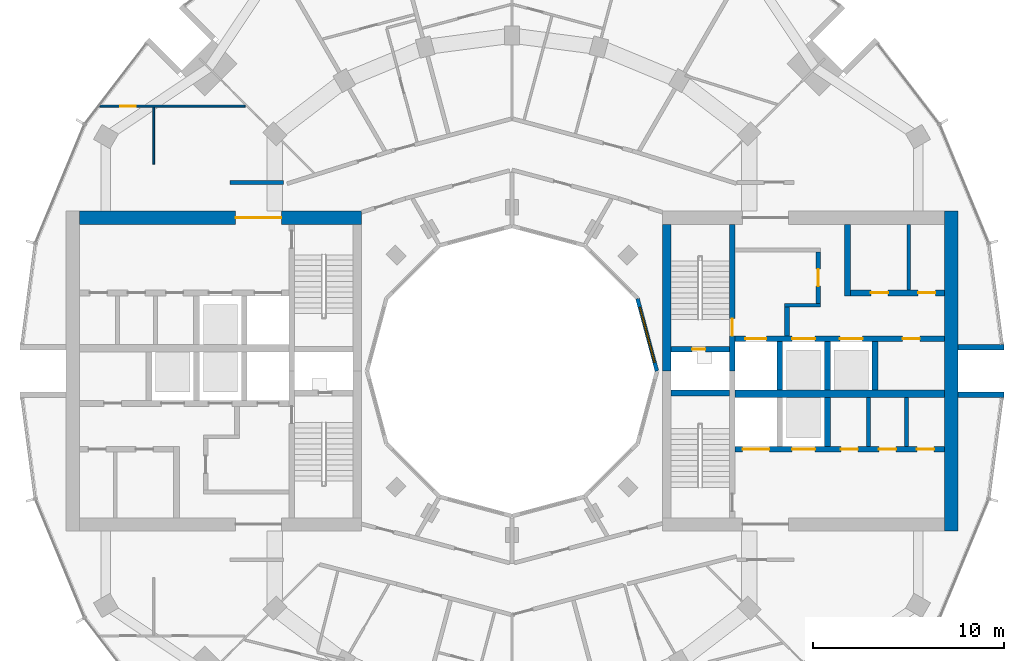
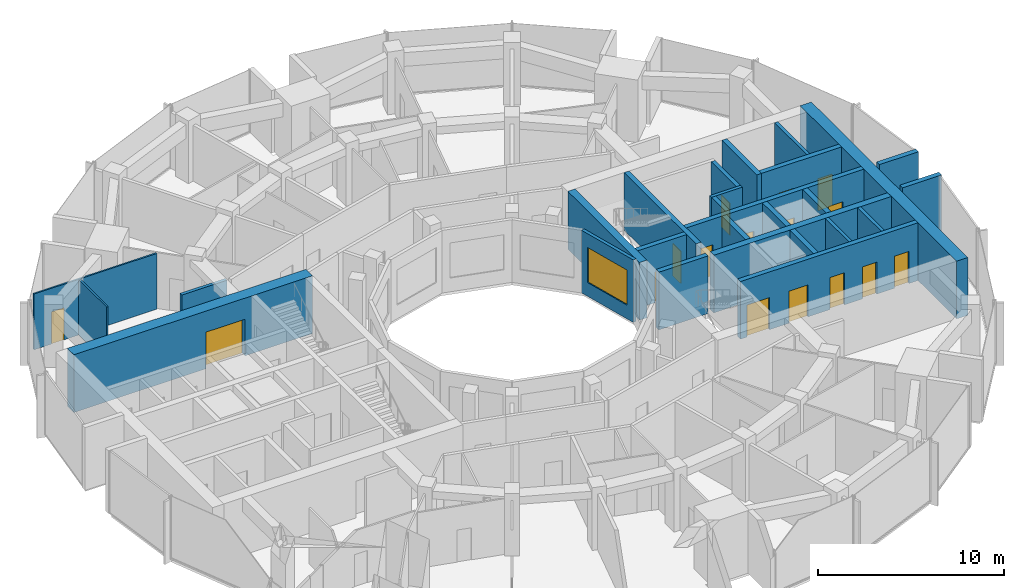
# One storey, part 11 of 15: 27 walls, 16 doors, 1 window, 17 openings.
"""IFC4 building model written with IfcOpenShell, lengths in metres."""

from ifc_helpers import new_model, si_unit, direction, frame, frame_2d, origin, place, context, subcontext, project, spatial, rectangle, extrude, material, layer, layer_set, type_object, element, fill, save


model = new_model("IFC4")

# Units and contexts
model_context = context("Model", 3, precision=1e-05, world=origin(), true_north=direction((0.0, 1.0)))
body_context = subcontext(model_context, "Body", "Model", "MODEL_VIEW")
ifc_project = project(units=[si_unit("LENGTHUNIT", "METRE"), si_unit("AREAUNIT", "SQUARE_METRE"), si_unit("VOLUMEUNIT", "CUBIC_METRE"), si_unit("PLANEANGLEUNIT", "RADIAN"), si_unit("MASSUNIT", "GRAM", prefix="KILO")], contexts=[model_context])

# Site, building, storey
site_placement = place(None, origin())
site = spatial("IfcSite", under=ifc_project, at=site_placement, CompositionType="ELEMENT")
building_placement = place(site_placement, origin())
building = spatial("IfcBuilding", under=site, at=building_placement, Name="Torre Brocal", CompositionType="ELEMENT")
storey_placement = place(building_placement, frame((0.0, 0.0, 186.39990234375)))
storey = spatial("IfcBuildingStorey", under=building, at=storey_placement, Name="L43", CompositionType="ELEMENT", Elevation=186.39990234375)

# Walls
ifc_material_1 = material(Name="Masonry block", Category="masonry")
ifc_layer_1 = layer(ifc_material_1, 0.199951171875)
ifc_layer_set_1 = layer_set([ifc_layer_1], Name="Masonry block")
wall_type_1 = type_object("IfcWallType", Name="CORE PARTITION 200", PredefinedType="PARTITIONING", material=ifc_layer_set_1)
for number, where, z_axis, x_axis, name in (
    (1, (98.699951171875, 71.050048828125, 0.0), (0.0, 0.0, 1.0), (0.0, 1.0, 0.0), "Wall CP200"),
    (2, (100.699951171875, 71.050048828125, 0.0), (0.0, 0.0, 1.0), (0.0, 1.0, 0.0), "Wall CP200"),
):
    element("IfcWall", number, at=place(storey_placement, frame(where, z_axis=z_axis, x_axis=x_axis)), inside=storey, type_object=wall_type_1, Name=name, PredefinedType="PARTITIONING", context=body_context, shape_type="SweptSolid", body=[
        extrude(rectangle(XDim=2.550048828125, YDim=0.199951171875, at=frame_2d((1.27490234375, 0.0))), origin(), (0.0, 0.0, 1.0), 3.780029296875),
    ])
wall_1_placement = place(storey_placement, frame((100.819091796875, 79.25, 0.0), z_axis=(0.0, 0.0, 1.0), x_axis=(0.0, 1.0, 0.0)))
element("IfcWall", 3, at=wall_1_placement, inside=storey, type_object=wall_type_1, Name="Wall CP200", PredefinedType="PARTITIONING", context=body_context, shape_type="SweptSolid", body=[
    extrude(rectangle(XDim=3.449951171875, YDim=0.199951171875, at=frame_2d((1.72509765625, 0.0))), origin(), (0.0, 0.0, 1.0), 3.780029296875),
])
ifc_material_2 = material(Name="Concrete C70", Category="concrete")
ifc_layer_2 = layer(ifc_material_2, 0.199951171875)
ifc_layer_set_2 = layer_set([ifc_layer_2], Name="Concrete C70")
wall_type_2 = type_object("IfcWallType", Name="CORE WALL 200 C70", PredefinedType="SHEAR", material=ifc_layer_set_2)
wall_2_placement = place(storey_placement, frame((94.300048828125, 78.449951171875, 0.0), z_axis=(0.0, 0.0, 1.0), x_axis=(1.0, 0.0, 0.0)))
element("IfcWall", 4, at=wall_2_placement, inside=storey, type_object=wall_type_2, Name="Wall CW200-70", PredefinedType="SHEAR", context=body_context, shape_type="SweptSolid", body=[
    extrude(rectangle(XDim=1.89990234375, YDim=0.199951171875, at=frame_2d((0.949951171875, 0.0))), origin(), (0.0, 0.0, 1.0), 3.780029296875),
])

# Wall, opening, door
ifc_material_3 = material(Name="Concrete C70", Category="concrete")
ifc_layer_3 = layer(ifc_material_3, 0.25)
ifc_layer_set_3 = layer_set([ifc_layer_3], Name="Concrete C70")
wall_type_3 = type_object("IfcWallType", Name="CORE WALL 250 C70", PredefinedType="SHEAR", material=ifc_layer_set_3)
wall_3_placement = place(storey_placement, frame((96.074951171875, 78.550048828125, 0.0), z_axis=(0.0, 0.0, 1.0), x_axis=(0.0, 1.0, 0.0)))
wall_3 = element("IfcWall", 5, at=wall_3_placement, inside=storey, type_object=wall_type_3, Name="Wall CW250-70", PredefinedType="SHEAR", context=body_context, shape_type="SweptSolid", body=[
    extrude(rectangle(XDim=2.699951171875, YDim=0.25, at=frame_2d((1.35009765625, 0.0))), origin(), (0.0, 0.0, 1.0), 3.780029296875),
])
opening_1_placement = place(wall_3_placement, frame((0.89990234375, 0.0, 0.0)))
opening_1 = element("IfcOpeningElement", 6, at=opening_1_placement, cuts=wall_3, Name="Opening E-D08", PredefinedType="OPENING", context=body_context, shape_type="SweptSolid", body=[
    extrude(rectangle(XDim=0.89990234375, YDim=2.10009765625, at=frame_2d((0.449951171875, 1.050048828125))), frame((0.0, 0.135009765625, 0.0), z_axis=(0.0, -1.0, 0.0), x_axis=(1.0, 0.0, 0.0)), (0.0, 0.0, 1.0), 0.27001953125),
])
ifc_material_4 = material(Name="Steel A653", Category="steel")
door_type_1 = type_object("IfcDoorType", Name="LOBBY DOOR FD120 900X2100", OperationType="SINGLE_SWING_RIGHT", PredefinedType="DOOR", material=ifc_material_4)
door_1_placement = place(opening_1_placement, origin())
door_1 = element("IfcDoor", 7, at=door_1_placement, inside=storey, type_object=door_type_1, Name="Door E-D08", OperationType="SINGLE_SWING_LEFT", OverallHeight=2.10009765625, OverallWidth=0.89990234375, PredefinedType="DOOR", context=body_context, shape_type="SweptSolid", body=[
    extrude(rectangle(XDim=0.89990234375, YDim=2.10009765625, at=frame_2d((0.449951171875, 1.050048828125))), frame((0.0, 0.02490234375, 0.0), z_axis=(0.0, -1.0, 0.0), x_axis=(1.0, 0.0, 0.0)), (0.0, 0.0, 1.0), 0.050048828125),
])
fill(opening_1, door_1)

# Wall
wall_4_placement = place(storey_placement, frame((94.425048828125, 76.85009765625, 0.0), z_axis=(0.0, 0.0, 1.0), x_axis=(0.0, 1.0, 0.0)))
element("IfcWall", 8, at=wall_4_placement, inside=storey, type_object=wall_type_3, Name="Wall CW250-70", PredefinedType="SHEAR", context=body_context, shape_type="SweptSolid", body=[
    extrude(rectangle(XDim=1.5, YDim=0.25, at=frame_2d((0.75, 0.0))), origin(), (0.0, 0.0, 1.0), 3.780029296875),
])

# Wall, opening, door
ifc_material_5 = material(Name="Concrete C70", Category="concrete")
ifc_layer_4 = layer(ifc_material_5, 0.300048828125)
ifc_layer_set_4 = layer_set([ifc_layer_4], Name="Concrete C70")
wall_type_4 = type_object("IfcWallType", Name="CORE WALL 300 C70", PredefinedType="SHEAR", material=ifc_layer_set_4)
wall_5_placement = place(storey_placement, frame((91.550048828125, 75.0, 0.0), z_axis=(0.0, 0.0, 1.0), x_axis=(0.0, 1.0, 0.0)))
wall_5 = element("IfcWall", 9, at=wall_5_placement, inside=storey, type_object=wall_type_4, Name="Wall CW300-70", PredefinedType="SHEAR", context=body_context, shape_type="SweptSolid", body=[
    extrude(rectangle(XDim=7.699951171875, YDim=0.300048828125, at=frame_2d((3.85009765625, 0.0))), origin(), (0.0, 0.0, 1.0), 3.780029296875),
])
opening_2_placement = place(wall_5_placement, frame((1.85009765625, 0.0, 0.0)))
opening_2 = element("IfcOpeningElement", 10, at=opening_2_placement, cuts=wall_5, Name="Opening E-D02", PredefinedType="OPENING", context=body_context, shape_type="SweptSolid", body=[
    extrude(rectangle(XDim=0.89990234375, YDim=2.10009765625, at=frame_2d((0.449951171875, 1.050048828125))), frame((0.0, 0.159912109375, 0.0), z_axis=(0.0, -1.0, 0.0), x_axis=(1.0, 0.0, 0.0)), (0.0, 0.0, 1.0), 0.320068359375),
])
ifc_material_6 = material(Name="Steel A653", Category="steel")
door_type_2 = type_object("IfcDoorType", Name="STAIR DOOR FD120 900X2100", OperationType="SINGLE_SWING_RIGHT", PredefinedType="DOOR", material=ifc_material_6)
door_2_placement = place(opening_2_placement, origin())
door_2 = element("IfcDoor", 11, at=door_2_placement, inside=storey, type_object=door_type_2, Name="Door E-D02", OperationType="SINGLE_SWING_LEFT", OverallHeight=2.10009765625, OverallWidth=0.89990234375, PredefinedType="DOOR", context=body_context, shape_type="SweptSolid", body=[
    extrude(rectangle(XDim=0.89990234375, YDim=2.10009765625, at=frame_2d((0.449951171875, 1.050048828125))), frame((0.0, 0.02490234375, 0.0), z_axis=(0.0, -1.0, 0.0), x_axis=(1.0, 0.0, 0.0)), (0.0, 0.0, 1.0), 0.050048828125),
])
fill(opening_2, door_2)

wall_6_placement = place(storey_placement, frame((88.35009765625, 76.14990234375, 0.0), z_axis=(0.0, 0.0, 1.0), x_axis=(1.0, 0.0, 0.0)))
wall_6 = element("IfcWall", 12, at=wall_6_placement, inside=storey, type_object=wall_type_4, Name="Wall CW300-70", PredefinedType="SHEAR", context=body_context, shape_type="SweptSolid", body=[
    extrude(rectangle(XDim=3.0498046875, YDim=0.300048828125, at=frame_2d((1.52490234375, 0.0))), origin(), (0.0, 0.0, 1.0), 3.780029296875),
])
opening_3_placement = place(wall_6_placement, frame((1.10009765625, 0.0, 0.0)))
opening_3 = element("IfcOpeningElement", 13, at=opening_3_placement, cuts=wall_6, Name="Opening E-D01", PredefinedType="OPENING", context=body_context, shape_type="SweptSolid", body=[
    extrude(rectangle(XDim=0.699951171875, YDim=2.0, at=frame_2d((0.35009765625, 1.0))), frame((0.0, 0.159912109375, 0.0), z_axis=(0.0, -1.0, 0.0), x_axis=(1.0, 0.0, 0.0)), (0.0, 0.0, 1.0), 0.320068359375),
])
ifc_material_7 = material(Name="Steel A653", Category="steel")
door_type_3 = type_object("IfcDoorType", Name="RISER DOOR FD120 700X2000", OperationType="SINGLE_SWING_LEFT", PredefinedType="DOOR", material=ifc_material_7)
door_3_placement = place(opening_3_placement, frame((0.699951171875, 0.0, 0.0), z_axis=(0.0, 0.0, 1.0), x_axis=(-1.0, 0.0, 0.0)))
door_3 = element("IfcDoor", 14, at=door_3_placement, inside=storey, type_object=door_type_3, Name="Door E-D01", OperationType="SINGLE_SWING_RIGHT", OverallHeight=2.0, OverallWidth=0.699951171875, PredefinedType="DOOR", context=body_context, shape_type="SweptSolid", body=[
    extrude(rectangle(XDim=0.699951171875, YDim=2.0, at=frame_2d((0.35009765625, 1.0))), frame((0.0, 0.02490234375, 0.0), z_axis=(0.0, -1.0, 0.0), x_axis=(1.0, 0.0, 0.0)), (0.0, 0.0, 1.0), 0.050048828125),
])
fill(opening_3, door_3)

# Wall
wall_7_placement = place(storey_placement, frame((88.35009765625, 73.85009765625, 0.0), z_axis=(0.0, 0.0, 1.0), x_axis=(1.0, 0.0, 0.0)))
element("IfcWall", 15, at=wall_7_placement, inside=storey, type_object=wall_type_4, Name="Wall CW300-70", PredefinedType="SHEAR", context=body_context, shape_type="SweptSolid", body=[
    extrude(rectangle(XDim=3.0498046875, YDim=0.300048828125, at=frame_2d((1.52490234375, 0.0))), origin(), (0.0, 0.0, 1.0), 3.780029296875),
])

# Wall, openings, doors
wall_8_placement = place(storey_placement, frame((91.699951171875, 76.699951171875, 0.0), z_axis=(0.0, 0.0, 1.0), x_axis=(1.0, 0.0, 0.0)))
wall_8 = element("IfcWall", 16, at=wall_8_placement, inside=storey, type_object=wall_type_4, Name="Wall CW300-70", PredefinedType="SHEAR", context=body_context, shape_type="SweptSolid", body=[
    extrude(rectangle(XDim=11.0, YDim=0.300048828125, at=frame_2d((5.5, 0.0))), origin(), (0.0, 0.0, 1.0), 3.780029296875),
])
opening_4_placement = place(wall_8_placement, frame((0.550048828125, 0.0, 0.0)))
opening_4 = element("IfcOpeningElement", 17, at=opening_4_placement, cuts=wall_8, Name="Opening LD", PredefinedType="OPENING", context=body_context, shape_type="SweptSolid", body=[
    extrude(rectangle(XDim=1.10009765625, YDim=2.10009765625, at=frame_2d((0.550048828125, 1.050048828125))), frame((0.0, 0.159912109375, 0.0), z_axis=(0.0, -1.0, 0.0), x_axis=(1.0, 0.0, 0.0)), (0.0, 0.0, 1.0), 0.320068359375),
])
opening_5_placement = place(wall_8_placement, frame((3.0, 0.0, 0.0)))
opening_5 = element("IfcOpeningElement", 18, at=opening_5_placement, cuts=wall_8, Name="Opening LD12", PredefinedType="OPENING", context=body_context, shape_type="SweptSolid", body=[
    extrude(rectangle(XDim=1.199951171875, YDim=2.10009765625, at=frame_2d((0.60009765625, 1.050048828125))), frame((0.0, 0.159912109375, 0.0), z_axis=(0.0, -1.0, 0.0), x_axis=(1.0, 0.0, 0.0)), (0.0, 0.0, 1.0), 0.320068359375),
])
opening_6_placement = place(wall_8_placement, frame((5.5, 0.0, 0.0)))
opening_6 = element("IfcOpeningElement", 19, at=opening_6_placement, cuts=wall_8, Name="Opening LD12", PredefinedType="OPENING", context=body_context, shape_type="SweptSolid", body=[
    extrude(rectangle(XDim=1.199951171875, YDim=2.10009765625, at=frame_2d((0.60009765625, 1.050048828125))), frame((0.0, 0.159912109375, 0.0), z_axis=(0.0, -1.0, 0.0), x_axis=(1.0, 0.0, 0.0)), (0.0, 0.0, 1.0), 0.320068359375),
])
opening_7_placement = place(wall_8_placement, frame((8.800048828125, 0.0, 0.0)))
opening_7 = element("IfcOpeningElement", 20, at=opening_7_placement, cuts=wall_8, Name="Opening E-D04", PredefinedType="OPENING", context=body_context, shape_type="SweptSolid", body=[
    extrude(rectangle(XDim=0.89990234375, YDim=2.10009765625, at=frame_2d((0.449951171875, 1.050048828125))), frame((0.0, 0.159912109375, 0.0), z_axis=(0.0, -1.0, 0.0), x_axis=(1.0, 0.0, 0.0)), (0.0, 0.0, 1.0), 0.320068359375),
])
ifc_material_8 = material(Name="Stainless steel AISI 316", Category="steel")
door_type_4 = type_object("IfcDoorType", Name="LIFT LANDING DOOR 1100X2100", OperationType="DOUBLE_DOOR_SLIDING", PredefinedType="DOOR", material=ifc_material_8)
door_4_placement = place(opening_4_placement, origin())
door_4 = element("IfcDoor", 21, at=door_4_placement, inside=storey, type_object=door_type_4, Name="Door LD", OperationType="DOUBLE_DOOR_SLIDING", OverallHeight=2.10009765625, OverallWidth=1.10009765625, PredefinedType="DOOR", context=body_context, shape_type="SweptSolid", body=[
    extrude(rectangle(XDim=1.10009765625, YDim=2.10009765625, at=frame_2d((0.550048828125, 1.050048828125))), frame((0.0, 0.02490234375, 0.0), z_axis=(0.0, -1.0, 0.0), x_axis=(1.0, 0.0, 0.0)), (0.0, 0.0, 1.0), 0.050048828125),
])
fill(opening_4, door_4)
ifc_material_9 = material(Name="Stainless steel AISI 316", Category="steel")
door_type_5 = type_object("IfcDoorType", Name="LIFT LANDING DOOR 1200X2100", OperationType="DOUBLE_DOOR_SLIDING", PredefinedType="DOOR", material=ifc_material_9)
door_5_placement = place(opening_5_placement, origin())
door_5 = element("IfcDoor", 22, at=door_5_placement, inside=storey, type_object=door_type_5, Name="Door LD12", OperationType="DOUBLE_DOOR_SLIDING", OverallHeight=2.10009765625, OverallWidth=1.199951171875, PredefinedType="DOOR", context=body_context, shape_type="SweptSolid", body=[
    extrude(rectangle(XDim=1.199951171875, YDim=2.10009765625, at=frame_2d((0.60009765625, 1.050048828125))), frame((0.0, 0.02490234375, 0.0), z_axis=(0.0, -1.0, 0.0), x_axis=(1.0, 0.0, 0.0)), (0.0, 0.0, 1.0), 0.050048828125),
])
fill(opening_5, door_5)
door_6_placement = place(opening_6_placement, origin())
door_6 = element("IfcDoor", 23, at=door_6_placement, inside=storey, type_object=door_type_5, Name="Door LD12", OperationType="DOUBLE_DOOR_SLIDING", OverallHeight=2.10009765625, OverallWidth=1.199951171875, PredefinedType="DOOR", context=body_context, shape_type="SweptSolid", body=[
    extrude(rectangle(XDim=1.199951171875, YDim=2.10009765625, at=frame_2d((0.60009765625, 1.050048828125))), frame((0.0, 0.02490234375, 0.0), z_axis=(0.0, -1.0, 0.0), x_axis=(1.0, 0.0, 0.0)), (0.0, 0.0, 1.0), 0.050048828125),
])
fill(opening_6, door_6)
ifc_material_10 = material(Name="Steel A653", Category="steel")
door_type_6 = type_object("IfcDoorType", Name="ROOM DOOR FD30S 900X2100", OperationType="SINGLE_SWING_LEFT", PredefinedType="DOOR", material=ifc_material_10)
door_7_placement = place(opening_7_placement, frame((0.89990234375, 0.0, 0.0), z_axis=(0.0, 0.0, 1.0), x_axis=(-1.0, 0.0, 0.0)))
door_7 = element("IfcDoor", 24, at=door_7_placement, inside=storey, type_object=door_type_6, Name="Door E-D04", OperationType="SINGLE_SWING_LEFT", OverallHeight=2.10009765625, OverallWidth=0.89990234375, PredefinedType="DOOR", context=body_context, shape_type="SweptSolid", body=[
    extrude(rectangle(XDim=0.89990234375, YDim=2.10009765625, at=frame_2d((0.449951171875, 1.050048828125))), frame((0.0, 0.02490234375, 0.0), z_axis=(0.0, -1.0, 0.0), x_axis=(1.0, 0.0, 0.0)), (0.0, 0.0, 1.0), 0.050048828125),
])
fill(opening_7, door_7)

wall_9_placement = place(storey_placement, frame((91.699951171875, 70.89990234375, 0.0), z_axis=(0.0, 0.0, 1.0), x_axis=(1.0, 0.0, 0.0)))
wall_9 = element("IfcWall", 25, at=wall_9_placement, inside=storey, type_object=wall_type_4, Name="Wall CW300-70", PredefinedType="SHEAR", context=body_context, shape_type="SweptSolid", body=[
    extrude(rectangle(XDim=11.0, YDim=0.300048828125, at=frame_2d((5.5, 0.0))), origin(), (0.0, 0.0, 1.0), 3.780029296875),
])
opening_8_placement = place(wall_9_placement, frame((0.39990234375, 0.0, 0.0)))
opening_8 = element("IfcOpeningElement", 26, at=opening_8_placement, cuts=wall_9, Name="Opening LD14", PredefinedType="OPENING", context=body_context, shape_type="SweptSolid", body=[
    extrude(rectangle(XDim=1.39990234375, YDim=2.10009765625, at=frame_2d((0.699951171875, 1.050048828125))), frame((0.0, 0.159912109375, 0.0), z_axis=(0.0, -1.0, 0.0), x_axis=(1.0, 0.0, 0.0)), (0.0, 0.0, 1.0), 0.320068359375),
])
opening_9_placement = place(wall_9_placement, frame((3.0, 0.0, 0.0)))
opening_9 = element("IfcOpeningElement", 27, at=opening_9_placement, cuts=wall_9, Name="Opening LD12", PredefinedType="OPENING", context=body_context, shape_type="SweptSolid", body=[
    extrude(rectangle(XDim=1.199951171875, YDim=2.10009765625, at=frame_2d((0.60009765625, 1.050048828125))), frame((0.0, 0.159912109375, 0.0), z_axis=(0.0, -1.0, 0.0), x_axis=(1.0, 0.0, 0.0)), (0.0, 0.0, 1.0), 0.320068359375),
])
opening_10_placement = place(wall_9_placement, frame((5.550048828125, 0.0, 0.0)))
opening_10 = element("IfcOpeningElement", 28, at=opening_10_placement, cuts=wall_9, Name="Opening E-D05", PredefinedType="OPENING", context=body_context, shape_type="SweptSolid", body=[
    extrude(rectangle(XDim=0.89990234375, YDim=2.10009765625, at=frame_2d((0.449951171875, 1.050048828125))), frame((0.0, 0.159912109375, 0.0), z_axis=(0.0, -1.0, 0.0), x_axis=(1.0, 0.0, 0.0)), (0.0, 0.0, 1.0), 0.320068359375),
])
opening_11_placement = place(wall_9_placement, frame((7.550048828125, 0.0, 0.0)))
opening_11 = element("IfcOpeningElement", 29, at=opening_11_placement, cuts=wall_9, Name="Opening E-D06", PredefinedType="OPENING", context=body_context, shape_type="SweptSolid", body=[
    extrude(rectangle(XDim=0.89990234375, YDim=2.10009765625, at=frame_2d((0.449951171875, 1.050048828125))), frame((0.0, 0.159912109375, 0.0), z_axis=(0.0, -1.0, 0.0), x_axis=(1.0, 0.0, 0.0)), (0.0, 0.0, 1.0), 0.320068359375),
])
opening_12_placement = place(wall_9_placement, frame((9.550048828125, 0.0, 0.0)))
opening_12 = element("IfcOpeningElement", 30, at=opening_12_placement, cuts=wall_9, Name="Opening E-D07", PredefinedType="OPENING", context=body_context, shape_type="SweptSolid", body=[
    extrude(rectangle(XDim=0.89990234375, YDim=2.10009765625, at=frame_2d((0.449951171875, 1.050048828125))), frame((0.0, 0.159912109375, 0.0), z_axis=(0.0, -1.0, 0.0), x_axis=(1.0, 0.0, 0.0)), (0.0, 0.0, 1.0), 0.320068359375),
])
door_8_placement = place(opening_9_placement, origin())
door_8 = element("IfcDoor", 31, at=door_8_placement, inside=storey, type_object=door_type_5, Name="Door LD12", OperationType="DOUBLE_DOOR_SLIDING", OverallHeight=2.10009765625, OverallWidth=1.199951171875, PredefinedType="DOOR", context=body_context, shape_type="SweptSolid", body=[
    extrude(rectangle(XDim=1.199951171875, YDim=2.10009765625, at=frame_2d((0.60009765625, 1.050048828125))), frame((0.0, 0.02490234375, 0.0), z_axis=(0.0, -1.0, 0.0), x_axis=(1.0, 0.0, 0.0)), (0.0, 0.0, 1.0), 0.050048828125),
])
fill(opening_9, door_8)
ifc_material_11 = material(Name="Stainless steel AISI 316", Category="steel")
door_type_7 = type_object("IfcDoorType", Name="LIFT LANDING DOOR 1400X2100", OperationType="DOUBLE_DOOR_SLIDING", PredefinedType="DOOR", material=ifc_material_11)
door_9_placement = place(opening_8_placement, origin())
door_9 = element("IfcDoor", 32, at=door_9_placement, inside=storey, type_object=door_type_7, Name="Door LD14", OperationType="DOUBLE_DOOR_SLIDING", OverallHeight=2.10009765625, OverallWidth=1.39990234375, PredefinedType="DOOR", context=body_context, shape_type="SweptSolid", body=[
    extrude(rectangle(XDim=1.39990234375, YDim=2.10009765625, at=frame_2d((0.699951171875, 1.050048828125))), frame((0.0, 0.02490234375, 0.0), z_axis=(0.0, -1.0, 0.0), x_axis=(1.0, 0.0, 0.0)), (0.0, 0.0, 1.0), 0.050048828125),
])
fill(opening_8, door_9)
door_10_placement = place(opening_10_placement, origin())
door_10 = element("IfcDoor", 33, at=door_10_placement, inside=storey, type_object=door_type_6, Name="Door E-D05", OperationType="SINGLE_SWING_RIGHT", OverallHeight=2.10009765625, OverallWidth=0.89990234375, PredefinedType="DOOR", context=body_context, shape_type="SweptSolid", body=[
    extrude(rectangle(XDim=0.89990234375, YDim=2.10009765625, at=frame_2d((0.449951171875, 1.050048828125))), frame((0.0, 0.02490234375, 0.0), z_axis=(0.0, -1.0, 0.0), x_axis=(1.0, 0.0, 0.0)), (0.0, 0.0, 1.0), 0.050048828125),
])
fill(opening_10, door_10)
door_11_placement = place(opening_11_placement, origin())
door_11 = element("IfcDoor", 34, at=door_11_placement, inside=storey, type_object=door_type_6, Name="Door E-D06", OperationType="SINGLE_SWING_LEFT", OverallHeight=2.10009765625, OverallWidth=0.89990234375, PredefinedType="DOOR", context=body_context, shape_type="SweptSolid", body=[
    extrude(rectangle(XDim=0.89990234375, YDim=2.10009765625, at=frame_2d((0.449951171875, 1.050048828125))), frame((0.0, 0.02490234375, 0.0), z_axis=(0.0, -1.0, 0.0), x_axis=(1.0, 0.0, 0.0)), (0.0, 0.0, 1.0), 0.050048828125),
])
fill(opening_11, door_11)
door_12_placement = place(opening_12_placement, origin())
door_12 = element("IfcDoor", 35, at=door_12_placement, inside=storey, type_object=door_type_6, Name="Door E-D07", OperationType="SINGLE_SWING_LEFT", OverallHeight=2.10009765625, OverallWidth=0.89990234375, PredefinedType="DOOR", context=body_context, shape_type="SweptSolid", body=[
    extrude(rectangle(XDim=0.89990234375, YDim=2.10009765625, at=frame_2d((0.449951171875, 1.050048828125))), frame((0.0, 0.02490234375, 0.0), z_axis=(0.0, -1.0, 0.0), x_axis=(1.0, 0.0, 0.0)), (0.0, 0.0, 1.0), 0.050048828125),
])
fill(opening_12, door_12)

# Walls
for number, where, z_axis, x_axis, name in (
    (36, (94.050048828125, 74.0, 0.0), (0.0, 0.0, 1.0), (0.0, 1.0, 0.0), "Wall CW300-70"),
    (37, (96.550048828125, 74.0, 0.0), (0.0, 0.0, 1.0), (0.0, 1.0, 0.0), "Wall CW300-70"),
    (38, (99.050048828125, 74.0, 0.0), (0.0, 0.0, 1.0), (0.0, 1.0, 0.0), "Wall CW300-70"),
    (39, (96.550048828125, 71.050048828125, 0.0), (0.0, 0.0, 1.0), (0.0, 1.0, 0.0), "Wall CW300-70"),
):
    element("IfcWall", number, at=place(storey_placement, frame(where, z_axis=z_axis, x_axis=x_axis)), inside=storey, type_object=wall_type_4, Name=name, PredefinedType="SHEAR", context=body_context, shape_type="SweptSolid", body=[
        extrude(rectangle(XDim=2.550048828125, YDim=0.300048828125, at=frame_2d((1.27490234375, 0.0))), origin(), (0.0, 0.0, 1.0), 3.780029296875),
    ])
wall_10_placement = place(storey_placement, frame((97.60009765625, 78.949951171875, 0.0), z_axis=(0.0, 0.0, 1.0), x_axis=(0.0, 1.0, 0.0)))
element("IfcWall", 40, at=wall_10_placement, inside=storey, type_object=wall_type_4, Name="Wall CW300-70", PredefinedType="SHEAR", context=body_context, shape_type="SweptSolid", body=[
    extrude(rectangle(XDim=3.75, YDim=0.300048828125, at=frame_2d((1.875, 0.0))), origin(), (0.0, 0.0, 1.0), 3.780029296875),
])

# Wall, openings, doors
wall_11_placement = place(storey_placement, frame((97.75, 79.10009765625, 0.0), z_axis=(0.0, 0.0, 1.0), x_axis=(1.0, 0.0, 0.0)))
wall_11 = element("IfcWall", 41, at=wall_11_placement, inside=storey, type_object=wall_type_4, Name="Wall CW300-70", PredefinedType="SHEAR", context=body_context, shape_type="SweptSolid", body=[
    extrude(rectangle(XDim=4.949951171875, YDim=0.300048828125, at=frame_2d((2.47509765625, 0.0))), origin(), (0.0, 0.0, 1.0), 3.780029296875),
])
opening_13_placement = place(wall_11_placement, frame((1.08447265625, 0.0, 0.0)))
opening_13 = element("IfcOpeningElement", 42, at=opening_13_placement, cuts=wall_11, Name="Opening E-D09", PredefinedType="OPENING", context=body_context, shape_type="SweptSolid", body=[
    extrude(rectangle(XDim=0.89990234375, YDim=2.10009765625, at=frame_2d((0.449951171875, 1.050048828125))), frame((0.0, 0.159912109375, 0.0), z_axis=(0.0, -1.0, 0.0), x_axis=(1.0, 0.0, 0.0)), (0.0, 0.0, 1.0), 0.320068359375),
])
opening_14_placement = place(wall_11_placement, frame((3.5595703125, 0.0, 0.0)))
opening_14 = element("IfcOpeningElement", 43, at=opening_14_placement, cuts=wall_11, Name="Opening E-D10", PredefinedType="OPENING", context=body_context, shape_type="SweptSolid", body=[
    extrude(rectangle(XDim=0.89990234375, YDim=2.10009765625, at=frame_2d((0.449951171875, 1.050048828125))), frame((0.0, 0.159912109375, 0.0), z_axis=(0.0, -1.0, 0.0), x_axis=(1.0, 0.0, 0.0)), (0.0, 0.0, 1.0), 0.320068359375),
])
door_13_placement = place(opening_13_placement, origin())
door_13 = element("IfcDoor", 44, at=door_13_placement, inside=storey, type_object=door_type_6, Name="Door E-D09", OperationType="SINGLE_SWING_RIGHT", OverallHeight=2.10009765625, OverallWidth=0.89990234375, PredefinedType="DOOR", context=body_context, shape_type="SweptSolid", body=[
    extrude(rectangle(XDim=0.89990234375, YDim=2.10009765625, at=frame_2d((0.449951171875, 1.050048828125))), frame((0.0, 0.02490234375, 0.0), z_axis=(0.0, -1.0, 0.0), x_axis=(1.0, 0.0, 0.0)), (0.0, 0.0, 1.0), 0.050048828125),
])
fill(opening_13, door_13)
door_14_placement = place(opening_14_placement, origin())
door_14 = element("IfcDoor", 45, at=door_14_placement, inside=storey, type_object=door_type_6, Name="Door E-D10", OperationType="SINGLE_SWING_LEFT", OverallHeight=2.10009765625, OverallWidth=0.89990234375, PredefinedType="DOOR", context=body_context, shape_type="SweptSolid", body=[
    extrude(rectangle(XDim=0.89990234375, YDim=2.10009765625, at=frame_2d((0.449951171875, 1.050048828125))), frame((0.0, 0.02490234375, 0.0), z_axis=(0.0, -1.0, 0.0), x_axis=(1.0, 0.0, 0.0)), (0.0, 0.0, 1.0), 0.050048828125),
])
fill(opening_14, door_14)

# Walls
ifc_material_12 = material(Name="Concrete C70", Category="concrete")
ifc_layer_5 = layer(ifc_material_12, 0.39990234375)
ifc_layer_set_5 = layer_set([ifc_layer_5], Name="Concrete C70")
wall_type_5 = type_object("IfcWallType", Name="CORE WALL 400 C70", PredefinedType="SHEAR", material=ifc_layer_set_5)
wall_12_placement = place(storey_placement, frame((91.699951171875, 73.800048828125, 0.0), z_axis=(0.0, 0.0, 1.0), x_axis=(1.0, 0.0, 0.0)))
element("IfcWall", 46, at=wall_12_placement, inside=storey, type_object=wall_type_5, Name="Wall CW400-70", PredefinedType="SHEAR", context=body_context, shape_type="SweptSolid", body=[
    extrude(rectangle(XDim=11.0, YDim=0.39990234375, at=frame_2d((5.5, 0.0))), origin(), (0.0, 0.0, 1.0), 3.780029296875),
])
ifc_material_13 = material(Name="Concrete C70", Category="concrete")
ifc_layer_6 = layer(ifc_material_13, 0.449951171875)
ifc_layer_set_6 = layer_set([ifc_layer_6], Name="Concrete C70")
wall_type_6 = type_object("IfcWallType", Name="CORE WALL 450 C70", PredefinedType="SHEAR", material=ifc_layer_set_6)
wall_13_placement = place(storey_placement, frame((88.125, 75.0, 0.0), z_axis=(0.0, 0.0, 1.0), x_axis=(0.0, 1.0, 0.0)))
element("IfcWall", 47, at=wall_13_placement, inside=storey, type_object=wall_type_6, Name="Wall CW450-70", PredefinedType="SHEAR", context=body_context, shape_type="SweptSolid", body=[
    extrude(rectangle(XDim=7.699951171875, YDim=0.449951171875, at=frame_2d((3.85009765625, 0.0))), origin(), (0.0, 0.0, 1.0), 3.780029296875),
])
ifc_material_14 = material(Name="Concrete C70", Category="concrete")
ifc_layer_7 = layer(ifc_material_14, 0.699951171875)
ifc_layer_set_7 = layer_set([ifc_layer_7], Name="Concrete C70")
wall_type_7 = type_object("IfcWallType", Name="CORE WALL 700 C70", PredefinedType="SHEAR", material=ifc_layer_set_7)
wall_14_placement = place(storey_placement, frame((103.050048828125, 66.60009765625, 0.0), z_axis=(0.0, 0.0, 1.0), x_axis=(0.0, 1.0, 0.0)))
element("IfcWall", 48, at=wall_14_placement, inside=storey, type_object=wall_type_7, Name="Wall CW700-70", PredefinedType="SHEAR", context=body_context, shape_type="SweptSolid", body=[
    extrude(rectangle(XDim=16.7998046875, YDim=0.699951171875, at=frame_2d((8.39990234375, 0.0))), origin(), (0.0, 0.0, 1.0), 3.780029296875),
])

# Wall, opening, door
wall_15_placement = place(storey_placement, frame((72.10009765625, 83.050048828125, 0.0), z_axis=(0.0, 0.0, 1.0), x_axis=(-1.0, 0.0, 0.0)))
wall_15 = element("IfcWall", 49, at=wall_15_placement, inside=storey, type_object=wall_type_7, Name="Wall CW700-70", PredefinedType="SHEAR", context=body_context, shape_type="SweptSolid", body=[
    extrude(rectangle(XDim=14.800048828125, YDim=0.699951171875, at=frame_2d((7.39990234375, 0.0))), origin(), (0.0, 0.0, 1.0), 3.780029296875),
])
opening_15_placement = place(wall_15_placement, frame((4.199951171875, 0.0, 0.0)))
opening_15 = element("IfcOpeningElement", 50, at=opening_15_placement, cuts=wall_15, Name="Opening W-D12", PredefinedType="OPENING", context=body_context, shape_type="SweptSolid", body=[
    extrude(rectangle(XDim=2.39990234375, YDim=2.39990234375, at=frame_2d((1.199951171875, 1.199951171875))), frame((0.0, 0.35986328125, 0.0), z_axis=(0.0, -1.0, 0.0), x_axis=(1.0, 0.0, 0.0)), (0.0, 0.0, 1.0), 0.719970703125),
])
ifc_material_15 = material(Name="Steel A653", Category="steel")
door_type_8 = type_object("IfcDoorType", Name="DOUBLE FIRE DOOR FD90 2400X2400", OperationType="DOUBLE_DOOR_SINGLE_SWING", PredefinedType="DOOR", material=ifc_material_15)
door_15_placement = place(opening_15_placement, origin())
door_15 = element("IfcDoor", 51, at=door_15_placement, inside=storey, type_object=door_type_8, Name="Door W-D12", OperationType="DOUBLE_DOOR_SINGLE_SWING", OverallHeight=2.39990234375, OverallWidth=2.39990234375, PredefinedType="DOOR", context=body_context, shape_type="SweptSolid", body=[
    extrude(rectangle(XDim=2.39990234375, YDim=2.39990234375, at=frame_2d((1.199951171875, 1.199951171875))), frame((0.0, 0.02490234375, 0.0), z_axis=(0.0, -1.0, 0.0), x_axis=(1.0, 0.0, 0.0)), (0.0, 0.0, 1.0), 0.050048828125),
])
fill(opening_15, door_15)

# Walls
ifc_material_16 = material(Name="Concrete C70", Category="concrete")
ifc_layer_8 = layer(ifc_material_16, 0.300048828125)
ifc_layer_set_8 = layer_set([ifc_layer_8], Name="Concrete C70")
wall_type_8 = type_object("IfcWallType", Name="NOTCH RETURN WALL 300 C70", PredefinedType="NOTDEFINED", material=ifc_layer_set_8)
for number, where, z_axis, x_axis, name in (
    (52, (103.39990234375, 73.75, 0.0), (0.0, 0.0, 1.0), (1.0, 0.0, 0.0), "NOTCH RETURN WALL"),
    (53, (103.39990234375, 76.25, 0.0), (0.0, 0.0, 1.0), (1.0, 0.0, 0.0), "NOTCH RETURN WALL"),
):
    element("IfcWall", number, at=place(storey_placement, frame(where, z_axis=z_axis, x_axis=x_axis)), inside=storey, type_object=wall_type_8, Name=name, PredefinedType="NOTDEFINED", context=body_context, shape_type="SweptSolid", body=[
        extrude(rectangle(XDim=2.415771484375, YDim=0.300048828125, at=frame_2d((1.2080078125, 0.0))), origin(), (0.0, 0.0, 1.0), 4.10009765625),
    ])

# Wall, opening, door
ifc_material_17 = material(Name="Gypsum board", Category="Gypsum")
ifc_layer_9 = layer(ifc_material_17, 0.10009765625)
ifc_layer_set_9 = layer_set([ifc_layer_9], Name="Gypsum board")
wall_type_9 = type_object("IfcWallType", Name="PARTITION 100", PredefinedType="PARTITIONING", material=ifc_layer_set_9)
wall_16_placement = place(storey_placement, frame((58.37890625, 88.89990234375, 0.0), z_axis=(0.0, 0.0, 1.0), x_axis=(1.0, 0.0, 0.0)))
wall_16 = element("IfcWall", 54, at=wall_16_placement, inside=storey, type_object=wall_type_9, Name="BATHROOM WALL", PredefinedType="PARTITIONING", context=body_context, shape_type="SweptSolid", body=[
    extrude(rectangle(XDim=7.612060546875, YDim=0.10009765625, at=frame_2d((3.80615234375, 0.0))), origin(), (0.0, 0.0, 1.0), 3.650146484375),
])
opening_16_placement = place(wall_16_placement, frame((1.075439453125, 0.0, 0.0)))
opening_16 = element("IfcOpeningElement", 55, at=opening_16_placement, cuts=wall_16, Name="Opening R03-D15", PredefinedType="OPENING", context=body_context, shape_type="SweptSolid", body=[
    extrude(rectangle(XDim=0.800048828125, YDim=2.10009765625, at=frame_2d((0.39990234375, 1.050048828125))), frame((0.0, 0.06005859375, 0.0), z_axis=(0.0, -1.0, 0.0), x_axis=(1.0, 0.0, 0.0)), (0.0, 0.0, 1.0), 0.1201171875),
])
ifc_material_18 = material(Name="Timber", Category="wood")
door_type_9 = type_object("IfcDoorType", Name="BATHROOM DOOR 800X2100", OperationType="SINGLE_SWING_LEFT", PredefinedType="DOOR", material=ifc_material_18)
door_16_placement = place(opening_16_placement, frame((0.800048828125, 0.0, 0.0), z_axis=(0.0, 0.0, 1.0), x_axis=(-1.0, 0.0, 0.0)))
door_16 = element("IfcDoor", 56, at=door_16_placement, inside=storey, type_object=door_type_9, Name="R03-D15", OperationType="SINGLE_SWING_LEFT", OverallHeight=2.10009765625, OverallWidth=0.800048828125, PredefinedType="DOOR", context=body_context, shape_type="SweptSolid", body=[
    extrude(rectangle(XDim=0.800048828125, YDim=2.10009765625, at=frame_2d((0.39990234375, 1.050048828125))), frame((0.0, 0.02490234375, 0.0), z_axis=(0.0, -1.0, 0.0), x_axis=(1.0, 0.0, 0.0)), (0.0, 0.0, 1.0), 0.050048828125),
])
fill(opening_16, door_16)

# Walls
wall_17_placement = place(storey_placement, frame((61.199951171875, 85.85498046875, 0.0), z_axis=(0.0, 0.0, 1.0), x_axis=(0.0, 1.0, 0.0)))
element("IfcWall", 57, at=wall_17_placement, inside=storey, type_object=wall_type_9, Name="BATHROOM WALL", PredefinedType="PARTITIONING", context=body_context, shape_type="SweptSolid", body=[
    extrude(rectangle(XDim=2.9951171875, YDim=0.10009765625, at=frame_2d((1.49755859375, 0.0))), origin(), (0.0, 0.0, 1.0), 3.650146484375),
])
ifc_material_19 = material(Name="Gypsum board", Category="Gypsum")
ifc_layer_10 = layer(ifc_material_19, 0.199951171875)
ifc_layer_set_10 = layer_set([ifc_layer_10], Name="Gypsum board")
wall_type_10 = type_object("IfcWallType", Name="PARTITION 200 EI60", PredefinedType="PARTITIONING", material=ifc_layer_set_10)
wall_18_placement = place(storey_placement, frame((65.199951171875, 84.89990234375, 0.0), z_axis=(0.0, 0.0, 1.0), x_axis=(1.0, 0.0, 0.0)))
element("IfcWall", 58, at=wall_18_placement, inside=storey, type_object=wall_type_10, Name="CORRIDOR WALL", PredefinedType="PARTITIONING", context=body_context, shape_type="SweptSolid", body=[
    extrude(rectangle(XDim=2.800048828125, YDim=0.199951171875, at=frame_2d((1.39990234375, 0.0))), origin(), (0.0, 0.0, 1.0), 3.650146484375),
])

# Wall, opening, window
ifc_material_20 = material(Name="Concrete C40", Category="concrete")
ifc_layer_11 = layer(ifc_material_20, 0.199951171875)
ifc_layer_set_11 = layer_set([ifc_layer_11], Name="Concrete C40")
wall_type_11 = type_object("IfcWallType", Name="WELL FACADE WALL 200", PredefinedType="NOTDEFINED", material=ifc_layer_set_11)
wall_19_placement = place(storey_placement, frame((87.603515625, 75.0, 0.0), z_axis=(0.0, 0.0, 1.0), x_axis=(-0.258789828301, 0.965933654434, 0.0)))
wall_19 = element("IfcWall", 59, at=wall_19_placement, inside=storey, type_object=wall_type_11, Name="WELL FACADE WALL", PredefinedType="NOTDEFINED", context=body_context, shape_type="SweptSolid", body=[
    extrude(rectangle(XDim=3.935791015625, YDim=0.199951171875, at=frame_2d((1.9677734375, 0.0))), origin(), (0.0, 0.0, 1.0), 4.10009765625),
])
opening_17_placement = place(wall_19_placement, frame((0.468017578125, 0.0, 0.89990234375)))
opening_17 = element("IfcOpeningElement", 60, at=opening_17_placement, cuts=wall_19, Name="Opening W1", PredefinedType="OPENING", context=body_context, shape_type="SweptSolid", body=[
    extrude(rectangle(XDim=3.0, YDim=2.300048828125, at=frame_2d((1.5, 1.14990234375))), frame((0.0, 0.10986328125, 0.0), z_axis=(0.0, -1.0, 0.0), x_axis=(1.0, 0.0, 0.0)), (0.0, 0.0, 1.0), 0.219970703125),
])
ifc_material_21 = material(Name="Aluminium and glass", Category="aluminium")
window_type = type_object("IfcWindowType", Name="WELL WINDOW 3000X2300", PartitioningType="SINGLE_PANEL", PredefinedType="WINDOW", material=ifc_material_21)
window_placement = place(opening_17_placement, origin())
window = element("IfcWindow", 61, at=window_placement, inside=storey, type_object=window_type, Name="WELL WINDOW 3000X2300", OverallHeight=2.300048828125, OverallWidth=3.0, PartitioningType="SINGLE_PANEL", PredefinedType="WINDOW", context=body_context, shape_type="SweptSolid", body=[
    extrude(rectangle(XDim=3.0, YDim=2.300048828125, at=frame_2d((1.5, 1.14990234375))), frame((0.0, 0.030029296875, 0.0), z_axis=(0.0, -1.0, 0.0), x_axis=(1.0, 0.0, 0.0)), (0.0, 0.0, 1.0), 0.06005859375),
])
fill(opening_17, window)

save(model, "model.ifc")
